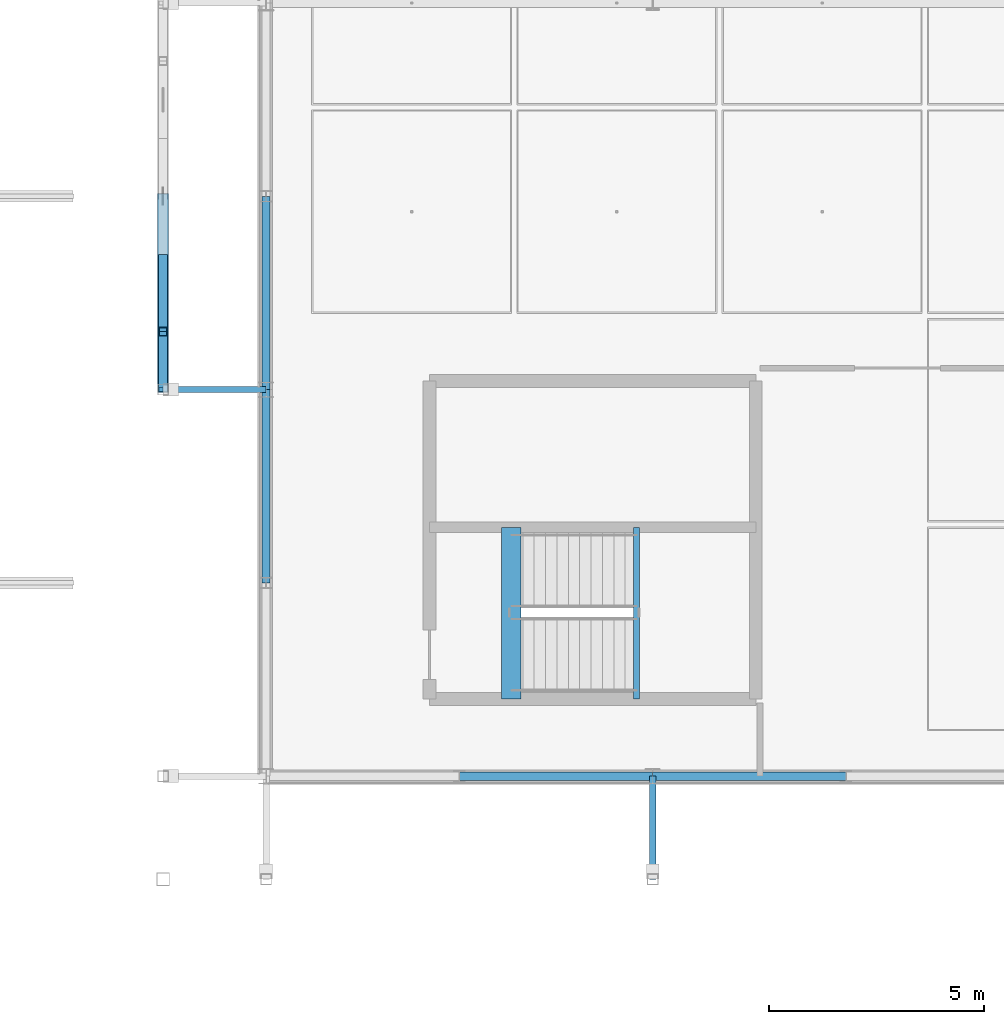
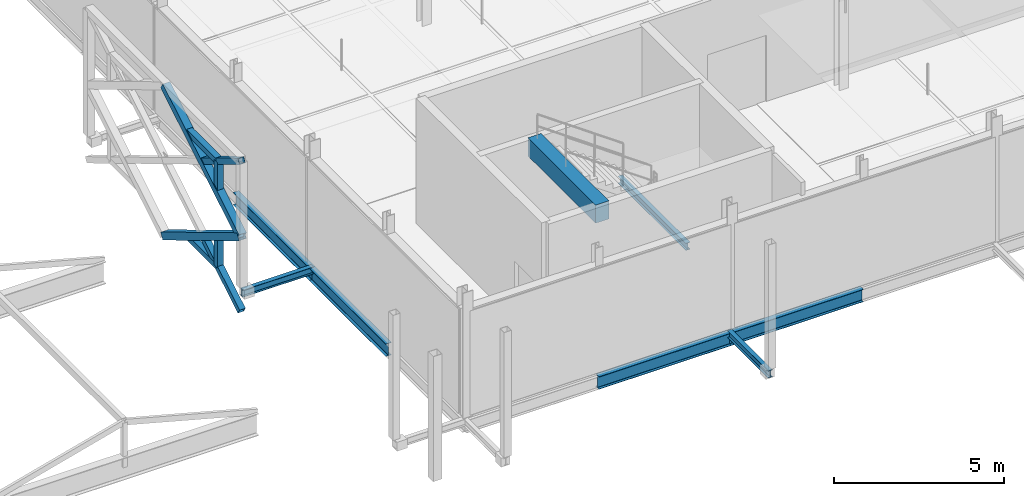
# One storey, part 18 of 89: 8 beams, 8 members.
"""IFC4 building model written with IfcOpenShell, lengths in metres."""

from ifc_helpers import new_model, si_unit, direction, frame, origin, origin_2d, place, context, subcontext, project, spatial, rectangle, hollow_rectangle, i_section, extrude, material, material_profile, profile_set, type_object, element, save


model = new_model("IFC4")

# Units and contexts
model_context = context("Model", 3, precision=1e-05, world=origin(), true_north=direction((0.0, 1.0)))
body_context = subcontext(model_context, "Body", "Model", "MODEL_VIEW")
ifc_project = project(units=[si_unit("LENGTHUNIT", "METRE"), si_unit("AREAUNIT", "SQUARE_METRE"), si_unit("VOLUMEUNIT", "CUBIC_METRE"), si_unit("PLANEANGLEUNIT", "RADIAN"), si_unit("MASSUNIT", "GRAM", prefix="KILO"), si_unit("THERMODYNAMICTEMPERATUREUNIT", "KELVIN"), si_unit("POWERUNIT", "WATT")], contexts=[model_context])

# Site, building, storey
site_placement = place(None, origin())
site = spatial("IfcSite", under=ifc_project, at=site_placement, CompositionType="ELEMENT")
building_placement = place(site_placement, origin())
building = spatial("IfcBuilding", under=site, at=building_placement, Name="Tallowbark Science Centre", CompositionType="ELEMENT")
storey_placement = place(building_placement, frame((0.0, 0.0, 14.39990234375)))
storey = spatial("IfcBuildingStorey", under=building, at=storey_placement, Name="L03", CompositionType="ELEMENT", Elevation=14.39990234375)

# Beams
ifc_material_1 = material(Name="Concrete Grade N40 (40 MPa)", Category="concrete")
ifc_material_profile_1 = material_profile(ifc_material_1, rectangle(XDim=0.449951171875, YDim=0.64990234375, at=origin_2d()), Name="RC450x650")
ifc_profile_set_1 = profile_set([ifc_material_profile_1], Name="Concrete Grade N40 (40 MPa)")
beam_type_1 = type_object("IfcBeamType", Name="BM-GB2-N40", PredefinedType="BEAM", material=ifc_profile_set_1)
beam_1_placement = place(storey_placement, frame((64.2099609375, 6.300048828125, 4.175048828125), z_axis=(0.0, 1.0, 0.0), x_axis=(-1.0, 0.0, 0.0)))
element("IfcBeam", 1, at=beam_1_placement, inside=storey, type_object=beam_type_1, Name="Stair ST-07 Landing Nosing Beam L03", PredefinedType="BEAM", context=body_context, shape_type="SweptSolid", body=[
    extrude(rectangle(XDim=0.449951171875, YDim=0.64990234375, at=origin_2d()), origin(), (0.0, 0.0, 1.0), 3.994873046875),
])
ifc_material_2 = material(Name="White Architectural Painted Steel Grade C350L0 (350 MPa)", Category="steel")
ifc_material_profile_2 = material_profile(ifc_material_2, i_section(OverallWidth=0.146484375, OverallDepth=0.256103515625, WebThickness=0.00634765625, FlangeThickness=0.010986328125, FilletRadius=0.0087890625, at=origin_2d()), Name="250UB37.3")
ifc_profile_set_2 = profile_set([ifc_material_profile_2], Name="White Architectural Painted Steel Grade C350L0 (350 MPa)")
beam_type_2 = type_object("IfcBeamType", Name="BM-OUT250", PredefinedType="BEAM", material=ifc_profile_set_2)
for number, where, z_axis, x_axis, name in (
    (2, (67.5, 4.5, -0.25), (0.0, -1.0, 0.0), (1.0, 0.0, 0.0), "Star Screen Outrigger Tie Beam S-39"),
    (3, (58.5, 13.5, -0.25), (-1.0, 0.0, 0.0), (0.0, -1.0, 0.0), "Star Screen Outrigger Tie Beam W-50"),
):
    element("IfcBeam", number, at=place(storey_placement, frame(where, z_axis=z_axis, x_axis=x_axis)), inside=storey, type_object=beam_type_2, Name=name, PredefinedType="BEAM", context=body_context, shape_type="SweptSolid", body=[
        extrude(i_section(OverallWidth=0.146484375, OverallDepth=0.256103515625, WebThickness=0.00634765625, FlangeThickness=0.010986328125, FilletRadius=0.0087890625, at=origin_2d()), origin(), (0.0, 0.0, 1.0), 2.39990234375),
    ])
ifc_material_3 = material(Name="Structural Steel Grade 300PLUS (300 MPa)", Category="steel")
ifc_material_profile_3 = material_profile(ifc_material_3, i_section(OverallWidth=0.146484375, OverallDepth=0.256103515625, WebThickness=0.00634765625, FlangeThickness=0.010986328125, FilletRadius=0.0087890625, at=origin_2d()), Name="250UB37.3")
ifc_profile_set_3 = profile_set([ifc_material_profile_3], Name="Structural Steel Grade 300PLUS (300 MPa)")
beam_type_3 = type_object("IfcBeamType", Name="JST-UB250", PredefinedType="JOIST", material=ifc_profile_set_3)
beam_2_placement = place(storey_placement, frame((67.125, 6.300048828125, 1.922119140625), z_axis=(0.0, 1.0, 0.0), x_axis=(-1.0, 0.0, 0.0)))
element("IfcBeam", 4, at=beam_2_placement, inside=storey, type_object=beam_type_3, Name="Stair ST-07 Half-Landing Trimmer L03", PredefinedType="JOIST", context=body_context, shape_type="SweptSolid", body=[
    extrude(i_section(OverallWidth=0.146484375, OverallDepth=0.256103515625, WebThickness=0.00634765625, FlangeThickness=0.010986328125, FilletRadius=0.0087890625, at=origin_2d()), origin(), (0.0, 0.0, 1.0), 3.994873046875),
])

# Members
ifc_material_profile_4 = material_profile(ifc_material_2, hollow_rectangle(XDim=0.25, YDim=0.25, WallThickness=0.009033203125, at=origin_2d()), Name="250x250x9.0SHS")
ifc_profile_set_4 = profile_set([ifc_material_profile_4], Name="White Architectural Painted Steel Grade C350L0 (350 MPa)")
member_type_1 = type_object("IfcMemberType", Name="SCR-CHD200", PredefinedType="CHORD", material=ifc_profile_set_4)
for number, where, z_axis, x_axis, name in (
    (5, (56.10009765625, 18.0, 4.5), (0.0, -0.857497030584, -0.514488913912), (1.0, 0.0, 0.0), "Star Screen Octagram Diamond Chord W-30-3"),
    (6, (56.10009765625, 13.5, 1.800048828125), (0.0, 0.857497030584, -0.514488913912), (-1.0, 0.0, 0.0), "Star Screen Octagram Diamond Chord W-30-4"),
):
    element("IfcMember", number, at=place(storey_placement, frame(where, z_axis=z_axis, x_axis=x_axis)), inside=storey, type_object=member_type_1, Name=name, PredefinedType="CHORD", context=body_context, shape_type="SweptSolid", body=[
        extrude(hollow_rectangle(XDim=0.25, YDim=0.25, WallThickness=0.009033203125, at=origin_2d()), origin(), (0.0, 0.0, 1.0), 5.247802734375),
    ])
ifc_material_profile_5 = material_profile(ifc_material_2, hollow_rectangle(XDim=0.199951171875, YDim=0.199951171875, WallThickness=0.009033203125, at=origin_2d()), Name="200x200x9.0SHS")
ifc_profile_set_5 = profile_set([ifc_material_profile_5], Name="White Architectural Painted Steel Grade C350L0 (350 MPa)")
member_type_2 = type_object("IfcMemberType", Name="SCR-STAR139", PredefinedType="BRACE", material=ifc_profile_set_5)
member_1_placement = place(storey_placement, frame((56.10009765625, 13.5, -0.89990234375), z_axis=(0.0, 0.857476506072, 0.514523120505), x_axis=(-1.0, 0.0, 0.0)))
element("IfcMember", 7, at=member_1_placement, inside=storey, type_object=member_type_2, Name="Star Screen Continuous X-Diagonal D1A W-30", PredefinedType="BRACE", context=body_context, shape_type="SweptSolid", body=[
    extrude(hollow_rectangle(XDim=0.199951171875, YDim=0.199951171875, WallThickness=0.009033203125, at=origin_2d()), origin(), (0.0, 0.0, 1.0), 2.6240234375),
])
member_2_placement = place(storey_placement, frame((56.10009765625, 13.5, 4.5), z_axis=(0.0, 0.857517554715, -0.514454704863), x_axis=(-1.0, 0.0, 0.0)))
element("IfcMember", 8, at=member_2_placement, inside=storey, type_object=member_type_2, Name="Star Screen Split X-Diagonal D2A W-30", PredefinedType="BRACE", context=body_context, shape_type="SweptSolid", body=[
    extrude(hollow_rectangle(XDim=0.199951171875, YDim=0.199951171875, WallThickness=0.009033203125, at=origin_2d()), origin(), (0.0, 0.0, 1.0), 2.623779296875),
])
ifc_material_profile_6 = material_profile(ifc_material_2, hollow_rectangle(XDim=0.199951171875, YDim=0.199951171875, WallThickness=0.009033203125, at=origin_2d()), Name="200x200x9.0SHS")
ifc_profile_set_6 = profile_set([ifc_material_profile_6], Name="White Architectural Painted Steel Grade C350L0 (350 MPa)")
member_type_3 = type_object("IfcMemberType", Name="SCR-SUB150", PredefinedType="BRACE", material=ifc_profile_set_6)
member_3_placement = place(storey_placement, frame((56.10009765625, 14.85009765625, -0.08984375), z_axis=(0.0, 1.0, 0.0), x_axis=(-1.0, 0.0, 0.0)))
element("IfcMember", 9, at=member_3_placement, inside=storey, type_object=member_type_3, Name="Star Screen Octagram Point Ray W-30-1", PredefinedType="BRACE", context=body_context, shape_type="SweptSolid", body=[
    extrude(hollow_rectangle(XDim=0.199951171875, YDim=0.199951171875, WallThickness=0.009033203125, at=origin_2d()), origin(), (0.0, 0.0, 1.0), 1.7998046875),
])
member_4_placement = place(storey_placement, frame((56.10009765625, 14.85009765625, -0.08984375), z_axis=(0.0, 0.0, 1.0), x_axis=(1.0, 0.0, 0.0)))
element("IfcMember", 10, at=member_4_placement, inside=storey, type_object=member_type_3, Name="Star Screen Octagram Point Ray W-30-2", PredefinedType="BRACE", context=body_context, shape_type="SweptSolid", body=[
    extrude(hollow_rectangle(XDim=0.199951171875, YDim=0.199951171875, WallThickness=0.009033203125, at=origin_2d()), origin(), (0.0, 0.0, 1.0), 1.079833984375),
])
member_5_placement = place(storey_placement, frame((56.10009765625, 14.85009765625, 3.690185546875), z_axis=(0.0, 1.0, 0.0), x_axis=(-1.0, 0.0, 0.0)))
element("IfcMember", 11, at=member_5_placement, inside=storey, type_object=member_type_3, Name="Star Screen Octagram Point Ray W-30-7", PredefinedType="BRACE", context=body_context, shape_type="SweptSolid", body=[
    extrude(hollow_rectangle(XDim=0.199951171875, YDim=0.199951171875, WallThickness=0.009033203125, at=origin_2d()), origin(), (0.0, 0.0, 1.0), 1.7998046875),
])
member_6_placement = place(storey_placement, frame((56.10009765625, 14.85009765625, 3.690185546875), z_axis=(0.0, 0.0, -1.0), x_axis=(1.0, 0.0, 0.0)))
element("IfcMember", 12, at=member_6_placement, inside=storey, type_object=member_type_3, Name="Star Screen Octagram Point Ray W-30-8", PredefinedType="BRACE", context=body_context, shape_type="SweptSolid", body=[
    extrude(hollow_rectangle(XDim=0.199951171875, YDim=0.199951171875, WallThickness=0.009033203125, at=origin_2d()), origin(), (0.0, 0.0, 1.0), 1.080078125),
])

# Beams
ifc_material_profile_7 = material_profile(ifc_material_3, i_section(OverallWidth=0.18994140625, OverallDepth=0.453857421875, WebThickness=0.008544921875, FlangeThickness=0.0126953125, FilletRadius=0.011474609375, at=origin_2d()), Name="460UB67.1")
ifc_profile_set_7 = profile_set([ifc_material_profile_7], Name="Structural Steel Grade 300PLUS (300 MPa)")
beam_type_4 = type_object("IfcBeamType", Name="SPN-UB460", PredefinedType="SPANDREL", material=ifc_profile_set_7)
for number, where, z_axis, x_axis, name in (
    (13, (63.0, 4.5, -0.40673828125), (1.0, 0.0, 0.0), (0.0, 1.0, 0.0), "Primary Girder GRDX-L03-630-675-45"),
    (14, (67.5, 4.5, -0.40673828125), (1.0, 0.0, 0.0), (0.0, 1.0, 0.0), "Primary Girder GRDX-L03-675-720-45"),
    (15, (58.5, 9.0, -0.40673828125), (0.0, 1.0, 0.0), (-1.0, 0.0, 0.0), "Primary Girder GRDY-L03-585-90-135"),
    (16, (58.5, 13.5, -0.40673828125), (0.0, 1.0, 0.0), (-1.0, 0.0, 0.0), "Primary Girder GRDY-L03-585-135-180"),
):
    element("IfcBeam", number, at=place(storey_placement, frame(where, z_axis=z_axis, x_axis=x_axis)), inside=storey, type_object=beam_type_4, Name=name, PredefinedType="SPANDREL", context=body_context, shape_type="SweptSolid", body=[
        extrude(i_section(OverallWidth=0.18994140625, OverallDepth=0.453857421875, WebThickness=0.008544921875, FlangeThickness=0.0126953125, FilletRadius=0.011474609375, at=origin_2d()), origin(), (0.0, 0.0, 1.0), 4.5),
    ])

save(model, "model.ifc")
